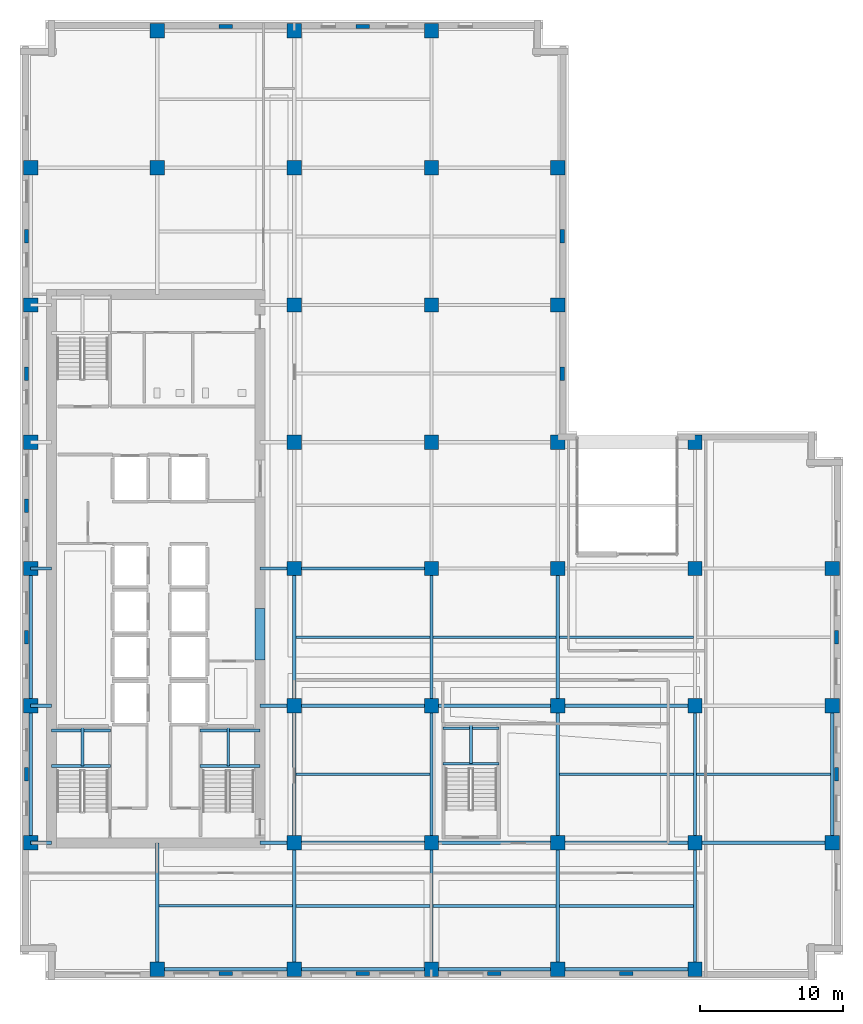
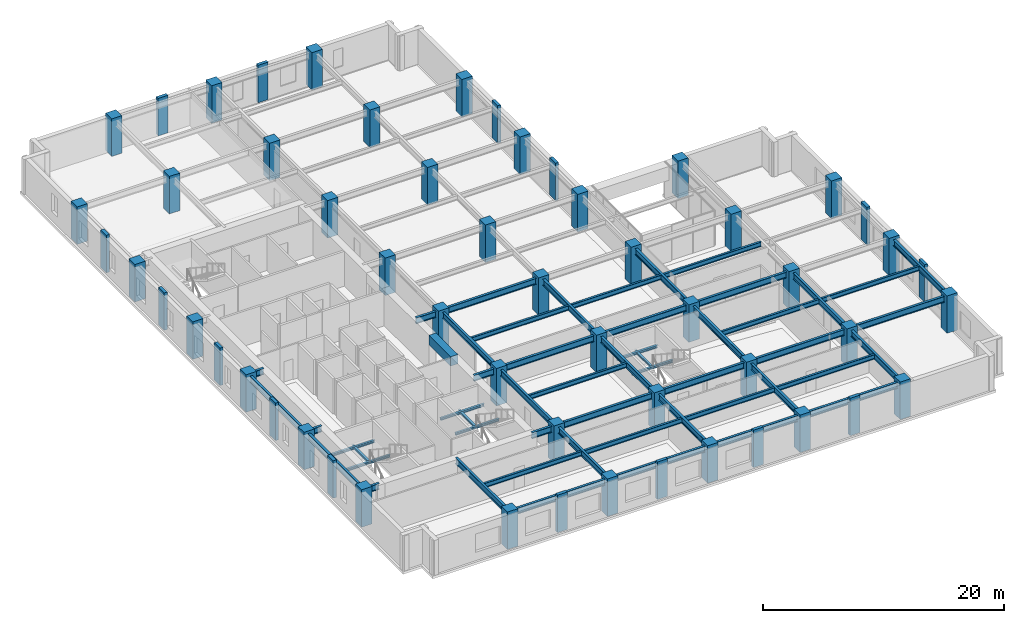
# One storey, part 1 of 14: 55 columns, 53 beams.
"""IFC4 building model written with IfcOpenShell, lengths in metres."""

from ifc_helpers import new_model, si_unit, direction, frame, origin, origin_2d, place, context, subcontext, project, spatial, rectangle, i_section, extrude, material, material_profile, profile_set, type_object, element, save


model = new_model("IFC4")

# Units and contexts
model_context = context("Model", 3, precision=1e-05, world=origin(), true_north=direction((0.0, 1.0)))
body_context = subcontext(model_context, "Body", "Model", "MODEL_VIEW")
ifc_project = project(units=[si_unit("LENGTHUNIT", "METRE"), si_unit("AREAUNIT", "SQUARE_METRE"), si_unit("VOLUMEUNIT", "CUBIC_METRE"), si_unit("PLANEANGLEUNIT", "RADIAN"), si_unit("MASSUNIT", "GRAM", prefix="KILO")], contexts=[model_context])

# Site, building, storey
site_placement = place(None, origin())
site = spatial("IfcSite", under=ifc_project, at=site_placement, CompositionType="ELEMENT")
building_placement = place(site_placement, origin())
building = spatial("IfcBuilding", under=site, at=building_placement, Name="Norrvale University Quadrangle", CompositionType="ELEMENT")
storey_placement = place(building_placement, frame((0.0, 0.0, 116.60009765625)))
storey = spatial("IfcBuildingStorey", under=building, at=storey_placement, Name="L29", CompositionType="ELEMENT", Elevation=116.60009765625)

# Columns
ifc_material_1 = material(Name="Red Manganese Brick Concrete C60/75", Category="concrete")
ifc_material_profile_1 = material_profile(ifc_material_1, rectangle(XDim=0.949951171875, YDim=0.300048828125, at=origin_2d()), Name="Red Manganese Brick Concrete C60/75")
ifc_profile_set_1 = profile_set([ifc_material_profile_1], Name="Red Manganese Brick Concrete C60/75")
column_type_1 = type_object("IfcColumnType", Name="Column Brick Pier 950x300", PredefinedType="PILASTER", material=ifc_profile_set_1)
for number, where, z_axis, x_axis, name in (
    (1, (0.449951171875, 14.39990234375, 0.0), (0.0, 0.0, 1.0), (0.0, 1.0, 0.0), "Exterior Brick Facade Pilaster L29-01"),
    (2, (0.449951171875, 24.0, 0.0), (0.0, 0.0, 1.0), (0.0, 1.0, 0.0), "Exterior Brick Facade Pilaster L29-02"),
    (3, (0.449951171875, 33.199951171875, 0.0), (0.0, 0.0, 1.0), (0.0, 1.0, 0.0), "Exterior Brick Facade Pilaster L29-03"),
    (4, (0.449951171875, 42.449951171875, 0.0), (0.0, 0.0, 1.0), (0.0, 1.0, 0.0), "Exterior Brick Facade Pilaster L29-04"),
    (5, (0.449951171875, 52.050048828125, 0.0), (0.0, 0.0, 1.0), (0.0, 1.0, 0.0), "Exterior Brick Facade Pilaster L29-05"),
    (6, (14.39990234375, 0.449951171875, 0.0), (0.0, 0.0, 1.0), (1.0, 0.0, 0.0), "Exterior Brick Facade Pilaster L29-06"),
    (7, (24.0, 0.449951171875, 0.0), (0.0, 0.0, 1.0), (1.0, 0.0, 0.0), "Exterior Brick Facade Pilaster L29-07"),
    (8, (33.199951171875, 0.449951171875, 0.0), (0.0, 0.0, 1.0), (1.0, 0.0, 0.0), "Exterior Brick Facade Pilaster L29-08"),
    (9, (42.449951171875, 0.449951171875, 0.0), (0.0, 0.0, 1.0), (1.0, 0.0, 0.0), "Exterior Brick Facade Pilaster L29-09"),
    (10, (57.14990234375, 14.39990234375, 0.0), (0.0, 0.0, 1.0), (0.0, 1.0, 0.0), "Exterior Brick Facade Pilaster L29-10"),
    (11, (57.14990234375, 24.0, 0.0), (0.0, 0.0, 1.0), (0.0, 1.0, 0.0), "Exterior Brick Facade Pilaster L29-11"),
    (12, (14.39990234375, 66.75, 0.0), (0.0, 0.0, 1.0), (1.0, 0.0, 0.0), "Exterior Brick Facade Pilaster L29-12"),
    (13, (24.0, 66.75, 0.0), (0.0, 0.0, 1.0), (1.0, 0.0, 0.0), "Exterior Brick Facade Pilaster L29-13"),
    (14, (37.949951171875, 42.449951171875, 0.0), (0.0, 0.0, 1.0), (0.0, 1.0, 0.0), "Exterior Brick Facade Pilaster L29-14"),
    (15, (37.949951171875, 52.050048828125, 0.0), (0.0, 0.0, 1.0), (0.0, 1.0, 0.0), "Exterior Brick Facade Pilaster L29-15"),
):
    element("IfcColumn", number, at=place(storey_placement, frame(where, z_axis=z_axis, x_axis=x_axis)), inside=storey, type_object=column_type_1, Name=name, PredefinedType="PILASTER", context=body_context, shape_type="SweptSolid", body=[
        extrude(rectangle(XDim=0.949951171875, YDim=0.300048828125, at=origin_2d()), origin(), (0.0, 0.0, 1.0), 3.7998046875),
    ])
ifc_material_2 = material(Name="Concrete C60/75", Category="concrete")
ifc_material_profile_2 = material_profile(ifc_material_2, rectangle(XDim=1.0, YDim=1.0, at=origin_2d()), Name="Concrete C60/75")
ifc_profile_set_2 = profile_set([ifc_material_profile_2], Name="Concrete C60/75")
column_type_2 = type_object("IfcColumnType", Name="Column Tower Z2 1000x1000", PredefinedType="COLUMN", material=ifc_profile_set_2)
for number, where, z_axis, x_axis, name in (
    (16, (0.75, 9.60009765625, 0.0), (0.0, 0.0, 1.0), (1.0, 0.0, 0.0), "Tower Column L29-T01"),
    (17, (0.75, 19.199951171875, 0.0), (0.0, 0.0, 1.0), (1.0, 0.0, 0.0), "Tower Column L29-T02"),
    (18, (0.75, 28.800048828125, 0.0), (0.0, 0.0, 1.0), (1.0, 0.0, 0.0), "Tower Column L29-T03"),
    (19, (0.75, 37.64990234375, 0.0), (0.0, 0.0, 1.0), (1.0, 0.0, 0.0), "Tower Column L29-T04"),
    (20, (0.75, 47.25, 0.0), (0.0, 0.0, 1.0), (1.0, 0.0, 0.0), "Tower Column L29-T05"),
    (21, (0.75, 56.85009765625, 0.0), (0.0, 0.0, 1.0), (1.0, 0.0, 0.0), "Tower Column L29-T06"),
    (22, (9.60009765625, 0.75, 0.0), (0.0, 0.0, 1.0), (1.0, 0.0, 0.0), "Tower Column L29-T07"),
    (23, (9.60009765625, 56.85009765625, 0.0), (0.0, 0.0, 1.0), (1.0, 0.0, 0.0), "Tower Column L29-T08"),
    (24, (9.60009765625, 66.449951171875, 0.0), (0.0, 0.0, 1.0), (1.0, 0.0, 0.0), "Tower Column L29-T09"),
    (25, (19.199951171875, 0.75, 0.0), (0.0, 0.0, 1.0), (1.0, 0.0, 0.0), "Tower Column L29-T10"),
    (26, (19.199951171875, 9.60009765625, 0.0), (0.0, 0.0, 1.0), (1.0, 0.0, 0.0), "Tower Column L29-T11"),
    (27, (19.199951171875, 19.199951171875, 0.0), (0.0, 0.0, 1.0), (1.0, 0.0, 0.0), "Tower Column L29-T12"),
    (28, (19.199951171875, 28.800048828125, 0.0), (0.0, 0.0, 1.0), (1.0, 0.0, 0.0), "Tower Column L29-T13"),
    (29, (19.199951171875, 37.64990234375, 0.0), (0.0, 0.0, 1.0), (1.0, 0.0, 0.0), "Tower Column L29-T14"),
    (30, (19.199951171875, 47.25, 0.0), (0.0, 0.0, 1.0), (1.0, 0.0, 0.0), "Tower Column L29-T15"),
    (31, (19.199951171875, 56.85009765625, 0.0), (0.0, 0.0, 1.0), (1.0, 0.0, 0.0), "Tower Column L29-T16"),
    (32, (19.199951171875, 66.449951171875, 0.0), (0.0, 0.0, 1.0), (1.0, 0.0, 0.0), "Tower Column L29-T17"),
    (33, (28.800048828125, 0.75, 0.0), (0.0, 0.0, 1.0), (1.0, 0.0, 0.0), "Tower Column L29-T18"),
    (34, (28.800048828125, 9.60009765625, 0.0), (0.0, 0.0, 1.0), (1.0, 0.0, 0.0), "Tower Column L29-T19"),
    (35, (28.800048828125, 19.199951171875, 0.0), (0.0, 0.0, 1.0), (1.0, 0.0, 0.0), "Tower Column L29-T20"),
    (36, (28.800048828125, 28.800048828125, 0.0), (0.0, 0.0, 1.0), (1.0, 0.0, 0.0), "Tower Column L29-T21"),
    (37, (28.800048828125, 37.64990234375, 0.0), (0.0, 0.0, 1.0), (1.0, 0.0, 0.0), "Tower Column L29-T22"),
    (38, (28.800048828125, 47.25, 0.0), (0.0, 0.0, 1.0), (1.0, 0.0, 0.0), "Tower Column L29-T23"),
    (39, (28.800048828125, 56.85009765625, 0.0), (0.0, 0.0, 1.0), (1.0, 0.0, 0.0), "Tower Column L29-T24"),
    (40, (28.800048828125, 66.449951171875, 0.0), (0.0, 0.0, 1.0), (1.0, 0.0, 0.0), "Tower Column L29-T25"),
    (41, (37.64990234375, 0.75, 0.0), (0.0, 0.0, 1.0), (1.0, 0.0, 0.0), "Tower Column L29-T26"),
    (42, (37.64990234375, 9.60009765625, 0.0), (0.0, 0.0, 1.0), (1.0, 0.0, 0.0), "Tower Column L29-T27"),
    (43, (37.64990234375, 19.199951171875, 0.0), (0.0, 0.0, 1.0), (1.0, 0.0, 0.0), "Tower Column L29-T28"),
    (44, (37.64990234375, 28.800048828125, 0.0), (0.0, 0.0, 1.0), (1.0, 0.0, 0.0), "Tower Column L29-T29"),
    (45, (37.64990234375, 37.64990234375, 0.0), (0.0, 0.0, 1.0), (1.0, 0.0, 0.0), "Tower Column L29-T30"),
    (46, (37.64990234375, 47.25, 0.0), (0.0, 0.0, 1.0), (1.0, 0.0, 0.0), "Tower Column L29-T31"),
    (47, (37.64990234375, 56.85009765625, 0.0), (0.0, 0.0, 1.0), (1.0, 0.0, 0.0), "Tower Column L29-T32"),
    (48, (47.25, 0.75, 0.0), (0.0, 0.0, 1.0), (1.0, 0.0, 0.0), "Tower Column L29-T33"),
    (49, (47.25, 9.60009765625, 0.0), (0.0, 0.0, 1.0), (1.0, 0.0, 0.0), "Tower Column L29-T34"),
    (50, (47.25, 19.199951171875, 0.0), (0.0, 0.0, 1.0), (1.0, 0.0, 0.0), "Tower Column L29-T35"),
    (51, (47.25, 28.800048828125, 0.0), (0.0, 0.0, 1.0), (1.0, 0.0, 0.0), "Tower Column L29-T36"),
    (52, (47.25, 37.64990234375, 0.0), (0.0, 0.0, 1.0), (1.0, 0.0, 0.0), "Tower Column L29-T37"),
    (53, (56.85009765625, 9.60009765625, 0.0), (0.0, 0.0, 1.0), (1.0, 0.0, 0.0), "Tower Column L29-T38"),
    (54, (56.85009765625, 19.199951171875, 0.0), (0.0, 0.0, 1.0), (1.0, 0.0, 0.0), "Tower Column L29-T39"),
    (55, (56.85009765625, 28.800048828125, 0.0), (0.0, 0.0, 1.0), (1.0, 0.0, 0.0), "Tower Column L29-T40"),
):
    element("IfcColumn", number, at=place(storey_placement, frame(where, z_axis=z_axis, x_axis=x_axis)), inside=storey, type_object=column_type_2, Name=name, PredefinedType="COLUMN", context=body_context, shape_type="SweptSolid", body=[
        extrude(rectangle(XDim=1.0, YDim=1.0, at=origin_2d()), origin(), (0.0, 0.0, 1.0), 3.7998046875),
    ])

# Beams
ifc_material_3 = material(Name="Concrete C80/95", Category="concrete")
ifc_material_profile_3 = material_profile(ifc_material_3, rectangle(XDim=0.699951171875, YDim=0.949951171875, at=origin_2d()), Name="Concrete C80/95")
ifc_profile_set_3 = profile_set([ifc_material_profile_3], Name="Concrete C80/95")
beam_type_1 = type_object("IfcBeamType", Name="Beam Core Link 700x950", PredefinedType="LINTEL", material=ifc_profile_set_3)
beam_1_placement = place(storey_placement, frame((16.800048828125, 22.39990234375, 3.06494140625), z_axis=(0.0, 1.0, 0.0), x_axis=(-1.0, 0.0, 0.0)))
element("IfcBeam", 56, at=beam_1_placement, inside=storey, type_object=beam_type_1, Name="Core Coupling Lintel Beam L29-1", PredefinedType="LINTEL", context=body_context, shape_type="SweptSolid", body=[
    extrude(rectangle(XDim=0.699951171875, YDim=0.949951171875, at=origin_2d()), origin(), (0.0, 0.0, 1.0), 3.60009765625),
])
ifc_material_4 = material(Name="Steel 350W", Category="steel")
ifc_material_profile_4 = material_profile(ifc_material_4, i_section(OverallWidth=0.194091796875, OverallDepth=0.468994140625, WebThickness=0.0126953125, FlangeThickness=0.0205078125, FilletRadius=0.012939453125, at=origin_2d()), Name="Steel 350W")
ifc_profile_set_4 = profile_set([ifc_material_profile_4], Name="Steel 350W")
beam_type_2 = type_object("IfcBeamType", Name="Beam Floor W460x106", PredefinedType="BEAM", material=ifc_profile_set_4)
for number, where, z_axis, x_axis, name in (
    (57, (19.31494140625, 5.175048828125, 3.305419921875), (1.0, 0.0, 0.0), (0.0, 1.0, 0.0), "Beam Floor W460x106 BM-L29-J070"),
    (58, (19.31494140625, 14.39990234375, 3.305419921875), (1.0, 0.0, 0.0), (0.0, 1.0, 0.0), "Beam Floor W460x106 BM-L29-J071"),
    (59, (19.31494140625, 24.0, 3.305419921875), (1.0, 0.0, 0.0), (0.0, 1.0, 0.0), "Beam Floor W460x106 BM-L29-J072"),
):
    element("IfcBeam", number, at=place(storey_placement, frame(where, z_axis=z_axis, x_axis=x_axis)), inside=storey, type_object=beam_type_2, Name=name, PredefinedType="BEAM", context=body_context, shape_type="SweptSolid", body=[
        extrude(i_section(OverallWidth=0.194091796875, OverallDepth=0.468994140625, WebThickness=0.0126953125, FlangeThickness=0.0205078125, FilletRadius=0.012939453125, at=origin_2d()), origin(), (0.0, 0.0, 1.0), 9.3701171875),
    ])
for number, where, z_axis, x_axis, name in (
    (60, (28.9150390625, 5.175048828125, 3.305419921875), (1.0, 0.0, 0.0), (0.0, 1.0, 0.0), "Beam Floor W460x106 BM-L29-J077"),
    (61, (28.9150390625, 24.0, 3.305419921875), (1.0, 0.0, 0.0), (0.0, 1.0, 0.0), "Beam Floor W460x106 BM-L29-J078"),
):
    element("IfcBeam", number, at=place(storey_placement, frame(where, z_axis=z_axis, x_axis=x_axis)), inside=storey, type_object=beam_type_2, Name=name, PredefinedType="BEAM", context=body_context, shape_type="SweptSolid", body=[
        extrude(i_section(OverallWidth=0.194091796875, OverallDepth=0.468994140625, WebThickness=0.0126953125, FlangeThickness=0.0205078125, FilletRadius=0.012939453125, at=origin_2d()), origin(), (0.0, 0.0, 1.0), 8.619873046875),
    ])
for number, where, z_axis, x_axis, name in (
    (62, (37.764892578125, 5.175048828125, 3.305419921875), (1.0, 0.0, 0.0), (0.0, 1.0, 0.0), "Beam Floor W460x106 BM-L29-J082"),
    (63, (37.764892578125, 14.39990234375, 3.305419921875), (1.0, 0.0, 0.0), (0.0, 1.0, 0.0), "Beam Floor W460x106 BM-L29-J083"),
    (64, (37.764892578125, 24.0, 3.305419921875), (1.0, 0.0, 0.0), (0.0, 1.0, 0.0), "Beam Floor W460x106 BM-L29-J084"),
    (65, (47.364990234375, 14.39990234375, 3.305419921875), (1.0, 0.0, 0.0), (0.0, 1.0, 0.0), "Beam Floor W460x106 BM-L29-J086"),
):
    element("IfcBeam", number, at=place(storey_placement, frame(where, z_axis=z_axis, x_axis=x_axis)), inside=storey, type_object=beam_type_2, Name=name, PredefinedType="BEAM", context=body_context, shape_type="SweptSolid", body=[
        extrude(i_section(OverallWidth=0.194091796875, OverallDepth=0.468994140625, WebThickness=0.0126953125, FlangeThickness=0.0205078125, FilletRadius=0.012939453125, at=origin_2d()), origin(), (0.0, 0.0, 1.0), 9.3701171875),
    ])
beam_2_placement = place(storey_placement, frame((9.715087890625, 5.199951171875, 3.305419921875), z_axis=(1.0, 0.0, 0.0), x_axis=(0.0, 1.0, 0.0)))
element("IfcBeam", 66, at=beam_2_placement, inside=storey, type_object=beam_type_2, Name="Beam Floor W460x106 BM-L29-JCS089", PredefinedType="BEAM", context=body_context, shape_type="SweptSolid", body=[
    extrude(i_section(OverallWidth=0.194091796875, OverallDepth=0.468994140625, WebThickness=0.0126953125, FlangeThickness=0.0205078125, FilletRadius=0.012939453125, at=origin_2d()), origin(), (0.0, 0.0, 1.0), 9.369873046875),
])
ifc_material_profile_5 = material_profile(ifc_material_4, i_section(OverallWidth=0.22998046875, OverallDepth=0.616943359375, WebThickness=0.01318359375, FlangeThickness=0.022216796875, FilletRadius=0.01611328125, at=origin_2d()), Name="Steel 350W")
ifc_profile_set_5 = profile_set([ifc_material_profile_5], Name="Steel 350W")
beam_type_3 = type_object("IfcBeamType", Name="Beam Floor W610x140", PredefinedType="BEAM", material=ifc_profile_set_5)
beam_3_placement = place(storey_placement, frame((9.60009765625, 0.75, 3.2314453125), z_axis=(1.0, 0.0, 0.0), x_axis=(0.0, 1.0, 0.0)))
element("IfcBeam", 67, at=beam_3_placement, inside=storey, type_object=beam_type_3, Name="Beam Floor W610x140 BM-L29-GX001", PredefinedType="BEAM", context=body_context, shape_type="SweptSolid", body=[
    extrude(i_section(OverallWidth=0.22998046875, OverallDepth=0.616943359375, WebThickness=0.01318359375, FlangeThickness=0.022216796875, FilletRadius=0.01611328125, at=origin_2d()), origin(), (0.0, 0.0, 1.0), 9.599853515625),
])
beam_4_placement = place(storey_placement, frame((19.199951171875, 0.75, 3.2314453125), z_axis=(1.0, 0.0, 0.0), x_axis=(0.0, 1.0, 0.0)))
element("IfcBeam", 68, at=beam_4_placement, inside=storey, type_object=beam_type_3, Name="Beam Floor W610x140 BM-L29-GX002", PredefinedType="BEAM", context=body_context, shape_type="SweptSolid", body=[
    extrude(i_section(OverallWidth=0.22998046875, OverallDepth=0.616943359375, WebThickness=0.01318359375, FlangeThickness=0.022216796875, FilletRadius=0.01611328125, at=origin_2d()), origin(), (0.0, 0.0, 1.0), 9.60009765625),
])
beam_5_placement = place(storey_placement, frame((28.800048828125, 0.75, 3.2314453125), z_axis=(1.0, 0.0, 0.0), x_axis=(0.0, 1.0, 0.0)))
element("IfcBeam", 69, at=beam_5_placement, inside=storey, type_object=beam_type_3, Name="Beam Floor W610x140 BM-L29-GX003", PredefinedType="BEAM", context=body_context, shape_type="SweptSolid", body=[
    extrude(i_section(OverallWidth=0.22998046875, OverallDepth=0.616943359375, WebThickness=0.01318359375, FlangeThickness=0.022216796875, FilletRadius=0.01611328125, at=origin_2d()), origin(), (0.0, 0.0, 1.0), 8.849853515625),
])
for number, where, z_axis, x_axis, name in (
    (70, (37.64990234375, 0.75, 3.2314453125), (1.0, 0.0, 0.0), (0.0, 1.0, 0.0), "Beam Floor W610x140 BM-L29-GX004"),
    (71, (19.199951171875, 9.60009765625, 3.2314453125), (1.0, 0.0, 0.0), (0.0, 1.0, 0.0), "Beam Floor W610x140 BM-L29-GX005"),
):
    element("IfcBeam", number, at=place(storey_placement, frame(where, z_axis=z_axis, x_axis=x_axis)), inside=storey, type_object=beam_type_3, Name=name, PredefinedType="BEAM", context=body_context, shape_type="SweptSolid", body=[
        extrude(i_section(OverallWidth=0.22998046875, OverallDepth=0.616943359375, WebThickness=0.01318359375, FlangeThickness=0.022216796875, FilletRadius=0.01611328125, at=origin_2d()), origin(), (0.0, 0.0, 1.0), 9.60009765625),
    ])
beam_6_placement = place(storey_placement, frame((28.800048828125, 9.60009765625, 3.2314453125), z_axis=(1.0, 0.0, 0.0), x_axis=(0.0, 1.0, 0.0)))
element("IfcBeam", 72, at=beam_6_placement, inside=storey, type_object=beam_type_3, Name="Beam Floor W610x140 BM-L29-GX006", PredefinedType="BEAM", context=body_context, shape_type="SweptSolid", body=[
    extrude(i_section(OverallWidth=0.22998046875, OverallDepth=0.616943359375, WebThickness=0.01318359375, FlangeThickness=0.022216796875, FilletRadius=0.01611328125, at=origin_2d()), origin(), (0.0, 0.0, 1.0), 8.849853515625),
])
for number, where, z_axis, x_axis, name in (
    (73, (37.64990234375, 9.60009765625, 3.2314453125), (1.0, 0.0, 0.0), (0.0, 1.0, 0.0), "Beam Floor W610x140 BM-L29-GX007"),
    (74, (47.25, 9.60009765625, 3.2314453125), (1.0, 0.0, 0.0), (0.0, 1.0, 0.0), "Beam Floor W610x140 BM-L29-GX008"),
    (75, (19.199951171875, 19.199951171875, 3.2314453125), (1.0, 0.0, 0.0), (0.0, 1.0, 0.0), "Beam Floor W610x140 BM-L29-GX009"),
):
    element("IfcBeam", number, at=place(storey_placement, frame(where, z_axis=z_axis, x_axis=x_axis)), inside=storey, type_object=beam_type_3, Name=name, PredefinedType="BEAM", context=body_context, shape_type="SweptSolid", body=[
        extrude(i_section(OverallWidth=0.22998046875, OverallDepth=0.616943359375, WebThickness=0.01318359375, FlangeThickness=0.022216796875, FilletRadius=0.01611328125, at=origin_2d()), origin(), (0.0, 0.0, 1.0), 9.60009765625),
    ])
beam_7_placement = place(storey_placement, frame((28.800048828125, 19.199951171875, 3.2314453125), z_axis=(1.0, 0.0, 0.0), x_axis=(0.0, 1.0, 0.0)))
element("IfcBeam", 76, at=beam_7_placement, inside=storey, type_object=beam_type_3, Name="Beam Floor W610x140 BM-L29-GX010", PredefinedType="BEAM", context=body_context, shape_type="SweptSolid", body=[
    extrude(i_section(OverallWidth=0.22998046875, OverallDepth=0.616943359375, WebThickness=0.01318359375, FlangeThickness=0.022216796875, FilletRadius=0.01611328125, at=origin_2d()), origin(), (0.0, 0.0, 1.0), 8.849853515625),
])
for number, where, z_axis, x_axis, name in (
    (77, (37.64990234375, 19.199951171875, 3.2314453125), (1.0, 0.0, 0.0), (0.0, 1.0, 0.0), "Beam Floor W610x140 BM-L29-GX011"),
    (78, (19.199951171875, 28.800048828125, 3.2314453125), (1.0, 0.0, 0.0), (0.0, 1.0, 0.0), "Beam Floor W610x140 BM-L29-GX013"),
):
    element("IfcBeam", number, at=place(storey_placement, frame(where, z_axis=z_axis, x_axis=x_axis)), inside=storey, type_object=beam_type_3, Name=name, PredefinedType="BEAM", context=body_context, shape_type="SweptSolid", body=[
        extrude(i_section(OverallWidth=0.22998046875, OverallDepth=0.616943359375, WebThickness=0.01318359375, FlangeThickness=0.022216796875, FilletRadius=0.01611328125, at=origin_2d()), origin(), (0.0, 0.0, 1.0), 9.60009765625),
    ])
beam_8_placement = place(storey_placement, frame((0.75, 9.60009765625, 3.2314453125), z_axis=(0.0, 1.0, 0.0), x_axis=(-1.0, 0.0, 0.0)))
element("IfcBeam", 79, at=beam_8_placement, inside=storey, type_object=beam_type_3, Name="Beam Floor W610x140 BM-L29-GY027", PredefinedType="BEAM", context=body_context, shape_type="SweptSolid", body=[
    extrude(i_section(OverallWidth=0.22998046875, OverallDepth=0.616943359375, WebThickness=0.01318359375, FlangeThickness=0.022216796875, FilletRadius=0.01611328125, at=origin_2d()), origin(), (0.0, 0.0, 1.0), 9.599853515625),
])
beam_9_placement = place(storey_placement, frame((0.75, 19.199951171875, 3.2314453125), z_axis=(0.0, 1.0, 0.0), x_axis=(-1.0, 0.0, 0.0)))
element("IfcBeam", 80, at=beam_9_placement, inside=storey, type_object=beam_type_3, Name="Beam Floor W610x140 BM-L29-GY028", PredefinedType="BEAM", context=body_context, shape_type="SweptSolid", body=[
    extrude(i_section(OverallWidth=0.22998046875, OverallDepth=0.616943359375, WebThickness=0.01318359375, FlangeThickness=0.022216796875, FilletRadius=0.01611328125, at=origin_2d()), origin(), (0.0, 0.0, 1.0), 9.60009765625),
])
beam_10_placement = place(storey_placement, frame((19.199951171875, 0.75, 3.2314453125), z_axis=(0.0, 1.0, 0.0), x_axis=(-1.0, 0.0, 0.0)))
element("IfcBeam", 81, at=beam_10_placement, inside=storey, type_object=beam_type_3, Name="Beam Floor W610x140 BM-L29-GY033", PredefinedType="BEAM", context=body_context, shape_type="SweptSolid", body=[
    extrude(i_section(OverallWidth=0.22998046875, OverallDepth=0.616943359375, WebThickness=0.01318359375, FlangeThickness=0.022216796875, FilletRadius=0.01611328125, at=origin_2d()), origin(), (0.0, 0.0, 1.0), 8.85009765625),
])
beam_11_placement = place(storey_placement, frame((19.199951171875, 9.60009765625, 3.2314453125), z_axis=(0.0, 1.0, 0.0), x_axis=(-1.0, 0.0, 0.0)))
element("IfcBeam", 82, at=beam_11_placement, inside=storey, type_object=beam_type_3, Name="Beam Floor W610x140 BM-L29-GY034", PredefinedType="BEAM", context=body_context, shape_type="SweptSolid", body=[
    extrude(i_section(OverallWidth=0.22998046875, OverallDepth=0.616943359375, WebThickness=0.01318359375, FlangeThickness=0.022216796875, FilletRadius=0.01611328125, at=origin_2d()), origin(), (0.0, 0.0, 1.0), 9.599853515625),
])
beam_12_placement = place(storey_placement, frame((19.199951171875, 19.199951171875, 3.2314453125), z_axis=(0.0, 1.0, 0.0), x_axis=(-1.0, 0.0, 0.0)))
element("IfcBeam", 83, at=beam_12_placement, inside=storey, type_object=beam_type_3, Name="Beam Floor W610x140 BM-L29-GY035", PredefinedType="BEAM", context=body_context, shape_type="SweptSolid", body=[
    extrude(i_section(OverallWidth=0.22998046875, OverallDepth=0.616943359375, WebThickness=0.01318359375, FlangeThickness=0.022216796875, FilletRadius=0.01611328125, at=origin_2d()), origin(), (0.0, 0.0, 1.0), 9.60009765625),
])
beam_13_placement = place(storey_placement, frame((28.800048828125, 0.75, 3.2314453125), z_axis=(0.0, 1.0, 0.0), x_axis=(-1.0, 0.0, 0.0)))
element("IfcBeam", 84, at=beam_13_placement, inside=storey, type_object=beam_type_3, Name="Beam Floor W610x140 BM-L29-GY040", PredefinedType="BEAM", context=body_context, shape_type="SweptSolid", body=[
    extrude(i_section(OverallWidth=0.22998046875, OverallDepth=0.616943359375, WebThickness=0.01318359375, FlangeThickness=0.022216796875, FilletRadius=0.01611328125, at=origin_2d()), origin(), (0.0, 0.0, 1.0), 8.85009765625),
])
beam_14_placement = place(storey_placement, frame((28.800048828125, 9.60009765625, 3.2314453125), z_axis=(0.0, 1.0, 0.0), x_axis=(-1.0, 0.0, 0.0)))
element("IfcBeam", 85, at=beam_14_placement, inside=storey, type_object=beam_type_3, Name="Beam Floor W610x140 BM-L29-GY041", PredefinedType="BEAM", context=body_context, shape_type="SweptSolid", body=[
    extrude(i_section(OverallWidth=0.22998046875, OverallDepth=0.616943359375, WebThickness=0.01318359375, FlangeThickness=0.022216796875, FilletRadius=0.01611328125, at=origin_2d()), origin(), (0.0, 0.0, 1.0), 9.599853515625),
])
beam_15_placement = place(storey_placement, frame((28.800048828125, 19.199951171875, 3.2314453125), z_axis=(0.0, 1.0, 0.0), x_axis=(-1.0, 0.0, 0.0)))
element("IfcBeam", 86, at=beam_15_placement, inside=storey, type_object=beam_type_3, Name="Beam Floor W610x140 BM-L29-GY042", PredefinedType="BEAM", context=body_context, shape_type="SweptSolid", body=[
    extrude(i_section(OverallWidth=0.22998046875, OverallDepth=0.616943359375, WebThickness=0.01318359375, FlangeThickness=0.022216796875, FilletRadius=0.01611328125, at=origin_2d()), origin(), (0.0, 0.0, 1.0), 9.60009765625),
])
beam_16_placement = place(storey_placement, frame((37.64990234375, 0.75, 3.2314453125), z_axis=(0.0, 1.0, 0.0), x_axis=(-1.0, 0.0, 0.0)))
element("IfcBeam", 87, at=beam_16_placement, inside=storey, type_object=beam_type_3, Name="Beam Floor W610x140 BM-L29-GY047", PredefinedType="BEAM", context=body_context, shape_type="SweptSolid", body=[
    extrude(i_section(OverallWidth=0.22998046875, OverallDepth=0.616943359375, WebThickness=0.01318359375, FlangeThickness=0.022216796875, FilletRadius=0.01611328125, at=origin_2d()), origin(), (0.0, 0.0, 1.0), 8.85009765625),
])
beam_17_placement = place(storey_placement, frame((37.64990234375, 9.60009765625, 3.2314453125), z_axis=(0.0, 1.0, 0.0), x_axis=(-1.0, 0.0, 0.0)))
element("IfcBeam", 88, at=beam_17_placement, inside=storey, type_object=beam_type_3, Name="Beam Floor W610x140 BM-L29-GY048", PredefinedType="BEAM", context=body_context, shape_type="SweptSolid", body=[
    extrude(i_section(OverallWidth=0.22998046875, OverallDepth=0.616943359375, WebThickness=0.01318359375, FlangeThickness=0.022216796875, FilletRadius=0.01611328125, at=origin_2d()), origin(), (0.0, 0.0, 1.0), 9.599853515625),
])
beam_18_placement = place(storey_placement, frame((37.64990234375, 19.199951171875, 3.2314453125), z_axis=(0.0, 1.0, 0.0), x_axis=(-1.0, 0.0, 0.0)))
element("IfcBeam", 89, at=beam_18_placement, inside=storey, type_object=beam_type_3, Name="Beam Floor W610x140 BM-L29-GY049", PredefinedType="BEAM", context=body_context, shape_type="SweptSolid", body=[
    extrude(i_section(OverallWidth=0.22998046875, OverallDepth=0.616943359375, WebThickness=0.01318359375, FlangeThickness=0.022216796875, FilletRadius=0.01611328125, at=origin_2d()), origin(), (0.0, 0.0, 1.0), 9.60009765625),
])
beam_19_placement = place(storey_placement, frame((47.25, 0.75, 3.2314453125), z_axis=(0.0, 1.0, 0.0), x_axis=(-1.0, 0.0, 0.0)))
element("IfcBeam", 90, at=beam_19_placement, inside=storey, type_object=beam_type_3, Name="Beam Floor W610x140 BM-L29-GY053", PredefinedType="BEAM", context=body_context, shape_type="SweptSolid", body=[
    extrude(i_section(OverallWidth=0.22998046875, OverallDepth=0.616943359375, WebThickness=0.01318359375, FlangeThickness=0.022216796875, FilletRadius=0.01611328125, at=origin_2d()), origin(), (0.0, 0.0, 1.0), 8.85009765625),
])
for number, where, z_axis, x_axis, name in (
    (91, (47.25, 9.60009765625, 3.2314453125), (0.0, 1.0, 0.0), (-1.0, 0.0, 0.0), "Beam Floor W610x140 BM-L29-GY054"),
    (92, (56.85009765625, 9.60009765625, 3.2314453125), (0.0, 1.0, 0.0), (-1.0, 0.0, 0.0), "Beam Floor W610x140 BM-L29-GY057"),
):
    element("IfcBeam", number, at=place(storey_placement, frame(where, z_axis=z_axis, x_axis=x_axis)), inside=storey, type_object=beam_type_3, Name=name, PredefinedType="BEAM", context=body_context, shape_type="SweptSolid", body=[
        extrude(i_section(OverallWidth=0.22998046875, OverallDepth=0.616943359375, WebThickness=0.01318359375, FlangeThickness=0.022216796875, FilletRadius=0.01611328125, at=origin_2d()), origin(), (0.0, 0.0, 1.0), 9.599853515625),
    ])
beam_20_placement = place(storey_placement, frame((0.75, 9.60009765625, 3.2314453125), z_axis=(1.0, 0.0, 0.0), x_axis=(0.0, 1.0, 0.0)))
element("IfcBeam", 93, at=beam_20_placement, inside=storey, type_object=beam_type_3, Name="Beam Floor W610x140 BM-L29-GCW059", PredefinedType="BEAM", context=body_context, shape_type="SweptSolid", body=[
    extrude(i_section(OverallWidth=0.22998046875, OverallDepth=0.616943359375, WebThickness=0.01318359375, FlangeThickness=0.022216796875, FilletRadius=0.01611328125, at=origin_2d()), origin(), (0.0, 0.0, 1.0), 1.449951171875),
])
beam_21_placement = place(storey_placement, frame((16.800048828125, 9.60009765625, 3.2314453125), z_axis=(1.0, 0.0, 0.0), x_axis=(0.0, 1.0, 0.0)))
element("IfcBeam", 94, at=beam_21_placement, inside=storey, type_object=beam_type_3, Name="Beam Floor W610x140 BM-L29-GCE060", PredefinedType="BEAM", context=body_context, shape_type="SweptSolid", body=[
    extrude(i_section(OverallWidth=0.22998046875, OverallDepth=0.616943359375, WebThickness=0.01318359375, FlangeThickness=0.022216796875, FilletRadius=0.01611328125, at=origin_2d()), origin(), (0.0, 0.0, 1.0), 2.39990234375),
])
beam_22_placement = place(storey_placement, frame((0.75, 19.199951171875, 3.2314453125), z_axis=(1.0, 0.0, 0.0), x_axis=(0.0, 1.0, 0.0)))
element("IfcBeam", 95, at=beam_22_placement, inside=storey, type_object=beam_type_3, Name="Beam Floor W610x140 BM-L29-GCW061", PredefinedType="BEAM", context=body_context, shape_type="SweptSolid", body=[
    extrude(i_section(OverallWidth=0.22998046875, OverallDepth=0.616943359375, WebThickness=0.01318359375, FlangeThickness=0.022216796875, FilletRadius=0.01611328125, at=origin_2d()), origin(), (0.0, 0.0, 1.0), 1.449951171875),
])
beam_23_placement = place(storey_placement, frame((16.800048828125, 19.199951171875, 3.2314453125), z_axis=(1.0, 0.0, 0.0), x_axis=(0.0, 1.0, 0.0)))
element("IfcBeam", 96, at=beam_23_placement, inside=storey, type_object=beam_type_3, Name="Beam Floor W610x140 BM-L29-GCE062", PredefinedType="BEAM", context=body_context, shape_type="SweptSolid", body=[
    extrude(i_section(OverallWidth=0.22998046875, OverallDepth=0.616943359375, WebThickness=0.01318359375, FlangeThickness=0.022216796875, FilletRadius=0.01611328125, at=origin_2d()), origin(), (0.0, 0.0, 1.0), 2.39990234375),
])
beam_24_placement = place(storey_placement, frame((0.75, 28.800048828125, 3.2314453125), z_axis=(1.0, 0.0, 0.0), x_axis=(0.0, 1.0, 0.0)))
element("IfcBeam", 97, at=beam_24_placement, inside=storey, type_object=beam_type_3, Name="Beam Floor W610x140 BM-L29-GCW063", PredefinedType="BEAM", context=body_context, shape_type="SweptSolid", body=[
    extrude(i_section(OverallWidth=0.22998046875, OverallDepth=0.616943359375, WebThickness=0.01318359375, FlangeThickness=0.022216796875, FilletRadius=0.01611328125, at=origin_2d()), origin(), (0.0, 0.0, 1.0), 1.449951171875),
])
beam_25_placement = place(storey_placement, frame((16.800048828125, 28.800048828125, 3.2314453125), z_axis=(1.0, 0.0, 0.0), x_axis=(0.0, 1.0, 0.0)))
element("IfcBeam", 98, at=beam_25_placement, inside=storey, type_object=beam_type_3, Name="Beam Floor W610x140 BM-L29-GCE064", PredefinedType="BEAM", context=body_context, shape_type="SweptSolid", body=[
    extrude(i_section(OverallWidth=0.22998046875, OverallDepth=0.616943359375, WebThickness=0.01318359375, FlangeThickness=0.022216796875, FilletRadius=0.01611328125, at=origin_2d()), origin(), (0.0, 0.0, 1.0), 2.39990234375),
])
beam_26_placement = place(storey_placement, frame((9.60009765625, 0.75, 3.2314453125), z_axis=(0.0, 1.0, 0.0), x_axis=(-1.0, 0.0, 0.0)))
element("IfcBeam", 99, at=beam_26_placement, inside=storey, type_object=beam_type_3, Name="Beam Floor W610x140 BM-L29-GCS088", PredefinedType="BEAM", context=body_context, shape_type="SweptSolid", body=[
    extrude(i_section(OverallWidth=0.22998046875, OverallDepth=0.616943359375, WebThickness=0.01318359375, FlangeThickness=0.022216796875, FilletRadius=0.01611328125, at=origin_2d()), origin(), (0.0, 0.0, 1.0), 8.85009765625),
])
ifc_material_profile_6 = material_profile(ifc_material_4, i_section(OverallWidth=0.201904296875, OverallDepth=0.2470703125, WebThickness=0.00732421875, FlangeThickness=0.010986328125, FilletRadius=0.011962890625, at=origin_2d()), Name="Steel 350W")
ifc_profile_set_6 = profile_set([ifc_material_profile_6], Name="Steel 350W")
beam_type_4 = type_object("IfcBeamType", Name="Beam Stair W250x49", PredefinedType="BEAM", material=ifc_profile_set_6)
for number, where, z_axis, x_axis, name in (
    (100, (2.199951171875, 14.989990234375, 1.576416015625), (1.0, 0.0, 0.0), (0.0, 1.0, 0.0), "Stair Mid-Landing Front Beam ST-01 L29"),
    (101, (2.199951171875, 17.469970703125, 1.576416015625), (1.0, 0.0, 0.0), (0.0, 1.0, 0.0), "Stair Mid-Landing Rear Beam ST-01 L29"),
):
    element("IfcBeam", number, at=place(storey_placement, frame(where, z_axis=z_axis, x_axis=x_axis)), inside=storey, type_object=beam_type_4, Name=name, PredefinedType="BEAM", context=body_context, shape_type="SweptSolid", body=[
        extrude(i_section(OverallWidth=0.201904296875, OverallDepth=0.2470703125, WebThickness=0.00732421875, FlangeThickness=0.010986328125, FilletRadius=0.011962890625, at=origin_2d()), origin(), (0.0, 0.0, 1.0), 4.14013671875),
    ])
for number, where, z_axis, x_axis, name in (
    (102, (12.610107421875, 14.989990234375, 1.576416015625), (1.0, 0.0, 0.0), (0.0, 1.0, 0.0), "Stair Mid-Landing Front Beam ST-03 L29"),
    (103, (12.610107421875, 17.469970703125, 1.576416015625), (1.0, 0.0, 0.0), (0.0, 1.0, 0.0), "Stair Mid-Landing Rear Beam ST-03 L29"),
):
    element("IfcBeam", number, at=place(storey_placement, frame(where, z_axis=z_axis, x_axis=x_axis)), inside=storey, type_object=beam_type_4, Name=name, PredefinedType="BEAM", context=body_context, shape_type="SweptSolid", body=[
        extrude(i_section(OverallWidth=0.201904296875, OverallDepth=0.2470703125, WebThickness=0.00732421875, FlangeThickness=0.010986328125, FilletRadius=0.011962890625, at=origin_2d()), origin(), (0.0, 0.0, 1.0), 4.18994140625),
    ])
for number, where, z_axis, x_axis, name in (
    (104, (29.610107421875, 15.139892578125, 1.576416015625), (1.0, 0.0, 0.0), (0.0, 1.0, 0.0), "Stair Mid-Landing Front Beam ST-04 L29"),
    (105, (29.610107421875, 17.6201171875, 1.576416015625), (1.0, 0.0, 0.0), (0.0, 1.0, 0.0), "Stair Mid-Landing Rear Beam ST-04 L29"),
):
    element("IfcBeam", number, at=place(storey_placement, frame(where, z_axis=z_axis, x_axis=x_axis)), inside=storey, type_object=beam_type_4, Name=name, PredefinedType="BEAM", context=body_context, shape_type="SweptSolid", body=[
        extrude(i_section(OverallWidth=0.201904296875, OverallDepth=0.2470703125, WebThickness=0.00732421875, FlangeThickness=0.010986328125, FilletRadius=0.011962890625, at=origin_2d()), origin(), (0.0, 0.0, 1.0), 3.929931640625),
    ])
ifc_material_profile_7 = material_profile(ifc_material_4, i_section(OverallWidth=0.202880859375, OverallDepth=0.202880859375, WebThickness=0.007080078125, FlangeThickness=0.010986328125, FilletRadius=0.010009765625, at=origin_2d()), Name="Steel 350W")
ifc_profile_set_7 = profile_set([ifc_material_profile_7], Name="Steel 350W")
beam_type_5 = type_object("IfcBeamType", Name="Beam Trim W200x46", PredefinedType="BEAM", material=ifc_profile_set_7)
for number, where, z_axis, x_axis, name in (
    (106, (4.375, 14.989990234375, 1.598388671875), (0.0, 1.0, 0.0), (-1.0, 0.0, 0.0), "Stair Mid-Landing Cross Beam ST-01 L29"),
    (107, (14.574951171875, 14.989990234375, 1.598388671875), (0.0, 1.0, 0.0), (-1.0, 0.0, 0.0), "Stair Mid-Landing Cross Beam ST-03 L29"),
    (108, (31.574951171875, 15.139892578125, 1.598388671875), (0.0, 1.0, 0.0), (-1.0, 0.0, 0.0), "Stair Mid-Landing Cross Beam ST-04 L29"),
):
    element("IfcBeam", number, at=place(storey_placement, frame(where, z_axis=z_axis, x_axis=x_axis)), inside=storey, type_object=beam_type_5, Name=name, PredefinedType="BEAM", context=body_context, shape_type="SweptSolid", body=[
        extrude(i_section(OverallWidth=0.202880859375, OverallDepth=0.202880859375, WebThickness=0.007080078125, FlangeThickness=0.010986328125, FilletRadius=0.010009765625, at=origin_2d()), origin(), (0.0, 0.0, 1.0), 2.800048828125),
    ])

save(model, "model.ifc")
